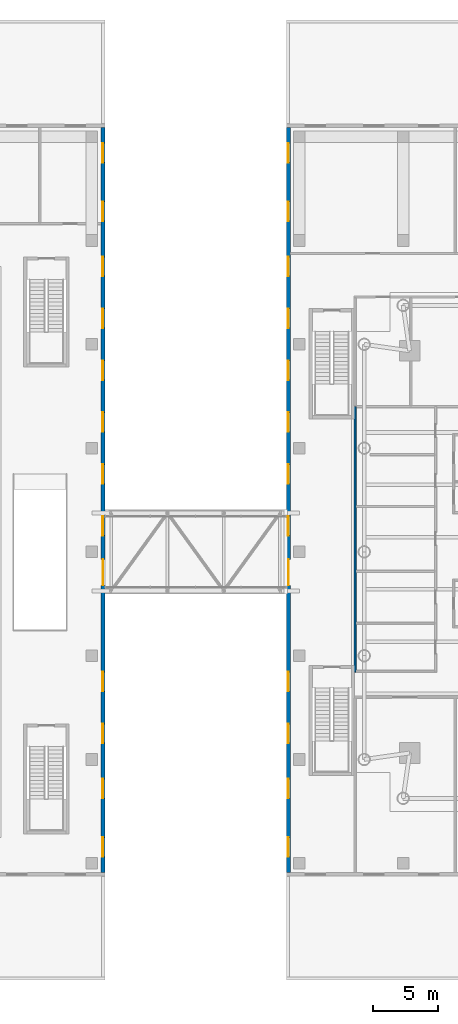
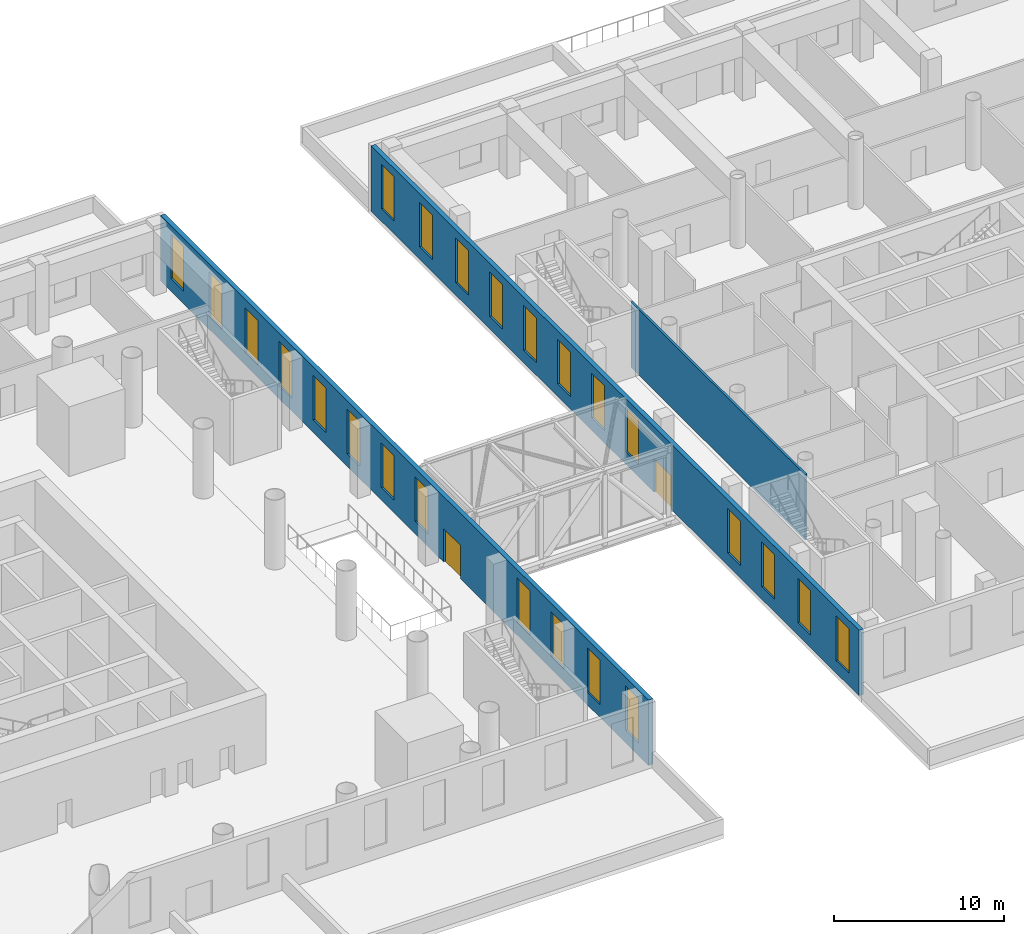
# One storey, part 15 of 23: 24 windows, 3 walls, 2 doors, 26 openings.
"""IFC4 building model written with IfcOpenShell, lengths in metres."""

from ifc_helpers import new_model, si_unit, direction, frame, frame_2d, origin, place, context, subcontext, project, spatial, rectangle, extrude, material, layer, layer_set, type_object, element, fill, save


model = new_model("IFC4")

# Units and contexts
model_context = context("Model", 3, precision=1e-05, world=origin(), true_north=direction((0.0, 1.0)))
body_context = subcontext(model_context, "Body", "Model", "MODEL_VIEW")
ifc_project = project(units=[si_unit("LENGTHUNIT", "METRE"), si_unit("AREAUNIT", "SQUARE_METRE"), si_unit("VOLUMEUNIT", "CUBIC_METRE"), si_unit("PLANEANGLEUNIT", "RADIAN"), si_unit("MASSUNIT", "GRAM", prefix="KILO")], contexts=[model_context])

# Site, building, storey
site_placement = place(None, origin())
site = spatial("IfcSite", under=ifc_project, at=site_placement, CompositionType="ELEMENT")
building_placement = place(site_placement, origin())
building = spatial("IfcBuilding", under=site, at=building_placement, Name="Ostroluk Exchange", CompositionType="ELEMENT")
storey_placement = place(building_placement, frame((0.0, 0.0, 11.0)))
storey = spatial("IfcBuildingStorey", under=building, at=storey_placement, Name="L02", CompositionType="ELEMENT", Elevation=11.0)

# Wall, openings, door, windows
ifc_material_1 = material(Name="Limestone", Category="masonry")
ifc_layer_1 = layer(ifc_material_1, 0.300048828125)
ifc_layer_set_1 = layer_set([ifc_layer_1], Name="Limestone facade wall 300")
wall_type_1 = type_object("IfcWallType", Name="Limestone facade wall 300", PredefinedType="SOLIDWALL", material=ifc_layer_set_1)
wall_1_placement = place(storey_placement, frame((77.85009765625, 21.300048828125, 0.0), z_axis=(0.0, 0.0, 1.0), x_axis=(0.0, 1.0, 0.0)))
wall_1 = element("IfcWall", 1, at=wall_1_placement, inside=storey, type_object=wall_type_1, Name="Podium west E wall L02 1a", PredefinedType="SOLIDWALL", context=body_context, shape_type="SweptSolid", body=[
    extrude(rectangle(XDim=57.39990234375, YDim=0.300048828125, at=frame_2d((28.699951171875, 0.0))), origin(), (0.0, 0.0, 1.0), 4.699951171875),
])
opening_1_placement = place(wall_1_placement, frame((1.199951171875, 0.0, 0.89990234375)))
opening_1 = element("IfcOpeningElement", 2, at=opening_1_placement, cuts=wall_1, Name="Opening WN-L2", PredefinedType="OPENING", context=body_context, shape_type="SweptSolid", body=[
    extrude(rectangle(XDim=1.5, YDim=3.199951171875, at=frame_2d((0.75, 1.60009765625))), frame((0.0, 0.159912109375, 0.0), z_axis=(0.0, -1.0, 0.0), x_axis=(1.0, 0.0, 0.0)), (0.0, 0.0, 1.0), 0.320068359375),
])
opening_2_placement = place(wall_1_placement, frame((5.699951171875, 0.0, 0.89990234375)))
opening_2 = element("IfcOpeningElement", 3, at=opening_2_placement, cuts=wall_1, Name="Opening WN-L2", PredefinedType="OPENING", context=body_context, shape_type="SweptSolid", body=[
    extrude(rectangle(XDim=1.5, YDim=3.199951171875, at=frame_2d((0.75, 1.60009765625))), frame((0.0, 0.159912109375, 0.0), z_axis=(0.0, -1.0, 0.0), x_axis=(1.0, 0.0, 0.0)), (0.0, 0.0, 1.0), 0.320068359375),
])
opening_3_placement = place(wall_1_placement, frame((9.949951171875, 0.0, 0.89990234375)))
opening_3 = element("IfcOpeningElement", 4, at=opening_3_placement, cuts=wall_1, Name="Opening WN-L2", PredefinedType="OPENING", context=body_context, shape_type="SweptSolid", body=[
    extrude(rectangle(XDim=1.5, YDim=3.199951171875, at=frame_2d((0.75, 1.60009765625))), frame((0.0, 0.159912109375, 0.0), z_axis=(0.0, -1.0, 0.0), x_axis=(1.0, 0.0, 0.0)), (0.0, 0.0, 1.0), 0.320068359375),
])
opening_4_placement = place(wall_1_placement, frame((13.949951171875, 0.0, 0.89990234375)))
opening_4 = element("IfcOpeningElement", 5, at=opening_4_placement, cuts=wall_1, Name="Opening WN-L2", PredefinedType="OPENING", context=body_context, shape_type="SweptSolid", body=[
    extrude(rectangle(XDim=1.5, YDim=3.199951171875, at=frame_2d((0.75, 1.60009765625))), frame((0.0, 0.159912109375, 0.0), z_axis=(0.0, -1.0, 0.0), x_axis=(1.0, 0.0, 0.0)), (0.0, 0.0, 1.0), 0.320068359375),
])
opening_5_placement = place(wall_1_placement, frame((25.949951171875, 0.0, 0.89990234375)))
opening_5 = element("IfcOpeningElement", 6, at=opening_5_placement, cuts=wall_1, Name="Opening WN-L2", PredefinedType="OPENING", context=body_context, shape_type="SweptSolid", body=[
    extrude(rectangle(XDim=1.5, YDim=3.199951171875, at=frame_2d((0.75, 1.60009765625))), frame((0.0, 0.159912109375, 0.0), z_axis=(0.0, -1.0, 0.0), x_axis=(1.0, 0.0, 0.0)), (0.0, 0.0, 1.0), 0.320068359375),
])
opening_6_placement = place(wall_1_placement, frame((29.949951171875, 0.0, 0.89990234375)))
opening_6 = element("IfcOpeningElement", 7, at=opening_6_placement, cuts=wall_1, Name="Opening WN-L2", PredefinedType="OPENING", context=body_context, shape_type="SweptSolid", body=[
    extrude(rectangle(XDim=1.5, YDim=3.199951171875, at=frame_2d((0.75, 1.60009765625))), frame((0.0, 0.159912109375, 0.0), z_axis=(0.0, -1.0, 0.0), x_axis=(1.0, 0.0, 0.0)), (0.0, 0.0, 1.0), 0.320068359375),
])
opening_7_placement = place(wall_1_placement, frame((33.949951171875, 0.0, 0.89990234375)))
opening_7 = element("IfcOpeningElement", 8, at=opening_7_placement, cuts=wall_1, Name="Opening WN-L2", PredefinedType="OPENING", context=body_context, shape_type="SweptSolid", body=[
    extrude(rectangle(XDim=1.5, YDim=3.199951171875, at=frame_2d((0.75, 1.60009765625))), frame((0.0, 0.159912109375, 0.0), z_axis=(0.0, -1.0, 0.0), x_axis=(1.0, 0.0, 0.0)), (0.0, 0.0, 1.0), 0.320068359375),
])
opening_8_placement = place(wall_1_placement, frame((37.949951171875, 0.0, 0.89990234375)))
opening_8 = element("IfcOpeningElement", 9, at=opening_8_placement, cuts=wall_1, Name="Opening WN-L2", PredefinedType="OPENING", context=body_context, shape_type="SweptSolid", body=[
    extrude(rectangle(XDim=1.5, YDim=3.199951171875, at=frame_2d((0.75, 1.60009765625))), frame((0.0, 0.159912109375, 0.0), z_axis=(0.0, -1.0, 0.0), x_axis=(1.0, 0.0, 0.0)), (0.0, 0.0, 1.0), 0.320068359375),
])
opening_9_placement = place(wall_1_placement, frame((41.949951171875, 0.0, 0.89990234375)))
opening_9 = element("IfcOpeningElement", 10, at=opening_9_placement, cuts=wall_1, Name="Opening WN-L2", PredefinedType="OPENING", context=body_context, shape_type="SweptSolid", body=[
    extrude(rectangle(XDim=1.5, YDim=3.199951171875, at=frame_2d((0.75, 1.60009765625))), frame((0.0, 0.159912109375, 0.0), z_axis=(0.0, -1.0, 0.0), x_axis=(1.0, 0.0, 0.0)), (0.0, 0.0, 1.0), 0.320068359375),
])
opening_10_placement = place(wall_1_placement, frame((45.949951171875, 0.0, 0.89990234375)))
opening_10 = element("IfcOpeningElement", 11, at=opening_10_placement, cuts=wall_1, Name="Opening WN-L2", PredefinedType="OPENING", context=body_context, shape_type="SweptSolid", body=[
    extrude(rectangle(XDim=1.5, YDim=3.199951171875, at=frame_2d((0.75, 1.60009765625))), frame((0.0, 0.159912109375, 0.0), z_axis=(0.0, -1.0, 0.0), x_axis=(1.0, 0.0, 0.0)), (0.0, 0.0, 1.0), 0.320068359375),
])
opening_11_placement = place(wall_1_placement, frame((50.199951171875, 0.0, 0.89990234375)))
opening_11 = element("IfcOpeningElement", 12, at=opening_11_placement, cuts=wall_1, Name="Opening WN-L2", PredefinedType="OPENING", context=body_context, shape_type="SweptSolid", body=[
    extrude(rectangle(XDim=1.5, YDim=3.199951171875, at=frame_2d((0.75, 1.60009765625))), frame((0.0, 0.159912109375, 0.0), z_axis=(0.0, -1.0, 0.0), x_axis=(1.0, 0.0, 0.0)), (0.0, 0.0, 1.0), 0.320068359375),
])
opening_12_placement = place(wall_1_placement, frame((54.699951171875, 0.0, 0.89990234375)))
opening_12 = element("IfcOpeningElement", 13, at=opening_12_placement, cuts=wall_1, Name="Opening WN-L2", PredefinedType="OPENING", context=body_context, shape_type="SweptSolid", body=[
    extrude(rectangle(XDim=1.5, YDim=3.199951171875, at=frame_2d((0.75, 1.60009765625))), frame((0.0, 0.159912109375, 0.0), z_axis=(0.0, -1.0, 0.0), x_axis=(1.0, 0.0, 0.0)), (0.0, 0.0, 1.0), 0.320068359375),
])
opening_13_placement = place(wall_1_placement, frame((22.114990234375, 0.0, 0.0)))
opening_13 = element("IfcOpeningElement", 14, at=opening_13_placement, cuts=wall_1, Name="Opening D-F1", PredefinedType="OPENING", context=body_context, shape_type="SweptSolid", body=[
    extrude(rectangle(XDim=2.0, YDim=2.39990234375, at=frame_2d((1.0, 1.199951171875))), frame((0.0, 0.159912109375, 0.0), z_axis=(0.0, -1.0, 0.0), x_axis=(1.0, 0.0, 0.0)), (0.0, 0.0, 1.0), 0.320068359375),
])
ifc_material_2 = material(Name="Steel fire door", Category="steel")
door_type = type_object("IfcDoorType", Name="Fire door 2000 x 2400 EI 60", OperationType="DOUBLE_DOOR_SINGLE_SWING", PredefinedType="DOOR", material=ifc_material_2)
door_1_placement = place(opening_13_placement, origin())
door_1 = element("IfcDoor", 15, at=door_1_placement, inside=storey, type_object=door_type, Name="Podium bridge fire door west", OperationType="DOUBLE_DOOR_SINGLE_SWING", OverallHeight=2.39990234375, OverallWidth=2.0, PredefinedType="DOOR", context=body_context, shape_type="SweptSolid", body=[
    extrude(rectangle(XDim=2.0, YDim=2.39990234375, at=frame_2d((1.0, 1.199951171875))), frame((0.0, 0.02490234375, 0.0), z_axis=(0.0, -1.0, 0.0), x_axis=(1.0, 0.0, 0.0)), (0.0, 0.0, 1.0), 0.050048828125),
])
fill(opening_13, door_1)
ifc_material_3 = material(Name="Laminated clear glass", Category="glass")
window_type = type_object("IfcWindowType", Name="Podium lancet window 1500 x 3200", PartitioningType="DOUBLE_PANEL_VERTICAL", PredefinedType="WINDOW", material=ifc_material_3)
window_1_placement = place(opening_1_placement, origin())
window_1 = element("IfcWindow", 16, at=window_1_placement, inside=storey, type_object=window_type, Name="Podium west lancet window E L02 1.1", OverallHeight=3.199951171875, OverallWidth=1.5, PartitioningType="SINGLE_PANEL", PredefinedType="WINDOW", context=body_context, shape_type="SweptSolid", body=[
    extrude(rectangle(XDim=1.5, YDim=3.199951171875, at=frame_2d((0.75, 1.60009765625))), frame((0.0, 0.030029296875, 0.0), z_axis=(0.0, -1.0, 0.0), x_axis=(1.0, 0.0, 0.0)), (0.0, 0.0, 1.0), 0.06005859375),
])
fill(opening_1, window_1)
window_2_placement = place(opening_2_placement, origin())
window_2 = element("IfcWindow", 17, at=window_2_placement, inside=storey, type_object=window_type, Name="Podium west lancet window E L02 1.2", OverallHeight=3.199951171875, OverallWidth=1.5, PartitioningType="SINGLE_PANEL", PredefinedType="WINDOW", context=body_context, shape_type="SweptSolid", body=[
    extrude(rectangle(XDim=1.5, YDim=3.199951171875, at=frame_2d((0.75, 1.60009765625))), frame((0.0, 0.030029296875, 0.0), z_axis=(0.0, -1.0, 0.0), x_axis=(1.0, 0.0, 0.0)), (0.0, 0.0, 1.0), 0.06005859375),
])
fill(opening_2, window_2)
window_3_placement = place(opening_3_placement, origin())
window_3 = element("IfcWindow", 18, at=window_3_placement, inside=storey, type_object=window_type, Name="Podium west lancet window E L02 2.1", OverallHeight=3.199951171875, OverallWidth=1.5, PartitioningType="SINGLE_PANEL", PredefinedType="WINDOW", context=body_context, shape_type="SweptSolid", body=[
    extrude(rectangle(XDim=1.5, YDim=3.199951171875, at=frame_2d((0.75, 1.60009765625))), frame((0.0, 0.030029296875, 0.0), z_axis=(0.0, -1.0, 0.0), x_axis=(1.0, 0.0, 0.0)), (0.0, 0.0, 1.0), 0.06005859375),
])
fill(opening_3, window_3)
window_4_placement = place(opening_4_placement, origin())
window_4 = element("IfcWindow", 19, at=window_4_placement, inside=storey, type_object=window_type, Name="Podium west lancet window E L02 2.2", OverallHeight=3.199951171875, OverallWidth=1.5, PartitioningType="SINGLE_PANEL", PredefinedType="WINDOW", context=body_context, shape_type="SweptSolid", body=[
    extrude(rectangle(XDim=1.5, YDim=3.199951171875, at=frame_2d((0.75, 1.60009765625))), frame((0.0, 0.030029296875, 0.0), z_axis=(0.0, -1.0, 0.0), x_axis=(1.0, 0.0, 0.0)), (0.0, 0.0, 1.0), 0.06005859375),
])
fill(opening_4, window_4)
window_5_placement = place(opening_5_placement, origin())
window_5 = element("IfcWindow", 20, at=window_5_placement, inside=storey, type_object=window_type, Name="Podium west lancet window E L02 4.1", OverallHeight=3.199951171875, OverallWidth=1.5, PartitioningType="SINGLE_PANEL", PredefinedType="WINDOW", context=body_context, shape_type="SweptSolid", body=[
    extrude(rectangle(XDim=1.5, YDim=3.199951171875, at=frame_2d((0.75, 1.60009765625))), frame((0.0, 0.030029296875, 0.0), z_axis=(0.0, -1.0, 0.0), x_axis=(1.0, 0.0, 0.0)), (0.0, 0.0, 1.0), 0.06005859375),
])
fill(opening_5, window_5)
window_6_placement = place(opening_6_placement, origin())
window_6 = element("IfcWindow", 21, at=window_6_placement, inside=storey, type_object=window_type, Name="Podium west lancet window E L02 4.2", OverallHeight=3.199951171875, OverallWidth=1.5, PartitioningType="SINGLE_PANEL", PredefinedType="WINDOW", context=body_context, shape_type="SweptSolid", body=[
    extrude(rectangle(XDim=1.5, YDim=3.199951171875, at=frame_2d((0.75, 1.60009765625))), frame((0.0, 0.030029296875, 0.0), z_axis=(0.0, -1.0, 0.0), x_axis=(1.0, 0.0, 0.0)), (0.0, 0.0, 1.0), 0.06005859375),
])
fill(opening_6, window_6)
window_7_placement = place(opening_7_placement, origin())
window_7 = element("IfcWindow", 22, at=window_7_placement, inside=storey, type_object=window_type, Name="Podium west lancet window E L02 5.1", OverallHeight=3.199951171875, OverallWidth=1.5, PartitioningType="SINGLE_PANEL", PredefinedType="WINDOW", context=body_context, shape_type="SweptSolid", body=[
    extrude(rectangle(XDim=1.5, YDim=3.199951171875, at=frame_2d((0.75, 1.60009765625))), frame((0.0, 0.030029296875, 0.0), z_axis=(0.0, -1.0, 0.0), x_axis=(1.0, 0.0, 0.0)), (0.0, 0.0, 1.0), 0.06005859375),
])
fill(opening_7, window_7)
window_8_placement = place(opening_8_placement, origin())
window_8 = element("IfcWindow", 23, at=window_8_placement, inside=storey, type_object=window_type, Name="Podium west lancet window E L02 5.2", OverallHeight=3.199951171875, OverallWidth=1.5, PartitioningType="SINGLE_PANEL", PredefinedType="WINDOW", context=body_context, shape_type="SweptSolid", body=[
    extrude(rectangle(XDim=1.5, YDim=3.199951171875, at=frame_2d((0.75, 1.60009765625))), frame((0.0, 0.030029296875, 0.0), z_axis=(0.0, -1.0, 0.0), x_axis=(1.0, 0.0, 0.0)), (0.0, 0.0, 1.0), 0.06005859375),
])
fill(opening_8, window_8)
window_9_placement = place(opening_9_placement, origin())
window_9 = element("IfcWindow", 24, at=window_9_placement, inside=storey, type_object=window_type, Name="Podium west lancet window E L02 6.1", OverallHeight=3.199951171875, OverallWidth=1.5, PartitioningType="SINGLE_PANEL", PredefinedType="WINDOW", context=body_context, shape_type="SweptSolid", body=[
    extrude(rectangle(XDim=1.5, YDim=3.199951171875, at=frame_2d((0.75, 1.60009765625))), frame((0.0, 0.030029296875, 0.0), z_axis=(0.0, -1.0, 0.0), x_axis=(1.0, 0.0, 0.0)), (0.0, 0.0, 1.0), 0.06005859375),
])
fill(opening_9, window_9)
window_10_placement = place(opening_10_placement, origin())
window_10 = element("IfcWindow", 25, at=window_10_placement, inside=storey, type_object=window_type, Name="Podium west lancet window E L02 6.2", OverallHeight=3.199951171875, OverallWidth=1.5, PartitioningType="SINGLE_PANEL", PredefinedType="WINDOW", context=body_context, shape_type="SweptSolid", body=[
    extrude(rectangle(XDim=1.5, YDim=3.199951171875, at=frame_2d((0.75, 1.60009765625))), frame((0.0, 0.030029296875, 0.0), z_axis=(0.0, -1.0, 0.0), x_axis=(1.0, 0.0, 0.0)), (0.0, 0.0, 1.0), 0.06005859375),
])
fill(opening_10, window_10)
window_11_placement = place(opening_11_placement, origin())
window_11 = element("IfcWindow", 26, at=window_11_placement, inside=storey, type_object=window_type, Name="Podium west lancet window E L02 7.1", OverallHeight=3.199951171875, OverallWidth=1.5, PartitioningType="SINGLE_PANEL", PredefinedType="WINDOW", context=body_context, shape_type="SweptSolid", body=[
    extrude(rectangle(XDim=1.5, YDim=3.199951171875, at=frame_2d((0.75, 1.60009765625))), frame((0.0, 0.030029296875, 0.0), z_axis=(0.0, -1.0, 0.0), x_axis=(1.0, 0.0, 0.0)), (0.0, 0.0, 1.0), 0.06005859375),
])
fill(opening_11, window_11)
window_12_placement = place(opening_12_placement, origin())
window_12 = element("IfcWindow", 27, at=window_12_placement, inside=storey, type_object=window_type, Name="Podium west lancet window E L02 7.2", OverallHeight=3.199951171875, OverallWidth=1.5, PartitioningType="SINGLE_PANEL", PredefinedType="WINDOW", context=body_context, shape_type="SweptSolid", body=[
    extrude(rectangle(XDim=1.5, YDim=3.199951171875, at=frame_2d((0.75, 1.60009765625))), frame((0.0, 0.030029296875, 0.0), z_axis=(0.0, -1.0, 0.0), x_axis=(1.0, 0.0, 0.0)), (0.0, 0.0, 1.0), 0.06005859375),
])
fill(opening_12, window_12)

wall_2_placement = place(storey_placement, frame((92.14990234375, 78.699951171875, 0.0), z_axis=(0.0, 0.0, 1.0), x_axis=(0.0, -1.0, 0.0)))
wall_2 = element("IfcWall", 28, at=wall_2_placement, inside=storey, type_object=wall_type_1, Name="Podium east W wall L02 1a", PredefinedType="SOLIDWALL", context=body_context, shape_type="SweptSolid", body=[
    extrude(rectangle(XDim=57.39990234375, YDim=0.300048828125, at=frame_2d((28.699951171875, 0.0))), origin(), (0.0, 0.0, 1.0), 4.699951171875),
])
opening_14_placement = place(wall_2_placement, frame((1.199951171875, 0.0, 0.89990234375)))
opening_14 = element("IfcOpeningElement", 29, at=opening_14_placement, cuts=wall_2, Name="Opening WN-L2", PredefinedType="OPENING", context=body_context, shape_type="SweptSolid", body=[
    extrude(rectangle(XDim=1.5, YDim=3.199951171875, at=frame_2d((0.75, 1.60009765625))), frame((0.0, 0.159912109375, 0.0), z_axis=(0.0, -1.0, 0.0), x_axis=(1.0, 0.0, 0.0)), (0.0, 0.0, 1.0), 0.320068359375),
])
opening_15_placement = place(wall_2_placement, frame((5.699951171875, 0.0, 0.89990234375)))
opening_15 = element("IfcOpeningElement", 30, at=opening_15_placement, cuts=wall_2, Name="Opening WN-L2", PredefinedType="OPENING", context=body_context, shape_type="SweptSolid", body=[
    extrude(rectangle(XDim=1.5, YDim=3.199951171875, at=frame_2d((0.75, 1.60009765625))), frame((0.0, 0.159912109375, 0.0), z_axis=(0.0, -1.0, 0.0), x_axis=(1.0, 0.0, 0.0)), (0.0, 0.0, 1.0), 0.320068359375),
])
opening_16_placement = place(wall_2_placement, frame((9.949951171875, 0.0, 0.89990234375)))
opening_16 = element("IfcOpeningElement", 31, at=opening_16_placement, cuts=wall_2, Name="Opening WN-L2", PredefinedType="OPENING", context=body_context, shape_type="SweptSolid", body=[
    extrude(rectangle(XDim=1.5, YDim=3.199951171875, at=frame_2d((0.75, 1.60009765625))), frame((0.0, 0.159912109375, 0.0), z_axis=(0.0, -1.0, 0.0), x_axis=(1.0, 0.0, 0.0)), (0.0, 0.0, 1.0), 0.320068359375),
])
opening_17_placement = place(wall_2_placement, frame((13.949951171875, 0.0, 0.89990234375)))
opening_17 = element("IfcOpeningElement", 32, at=opening_17_placement, cuts=wall_2, Name="Opening WN-L2", PredefinedType="OPENING", context=body_context, shape_type="SweptSolid", body=[
    extrude(rectangle(XDim=1.5, YDim=3.199951171875, at=frame_2d((0.75, 1.60009765625))), frame((0.0, 0.159912109375, 0.0), z_axis=(0.0, -1.0, 0.0), x_axis=(1.0, 0.0, 0.0)), (0.0, 0.0, 1.0), 0.320068359375),
])
opening_18_placement = place(wall_2_placement, frame((17.949951171875, 0.0, 0.89990234375)))
opening_18 = element("IfcOpeningElement", 33, at=opening_18_placement, cuts=wall_2, Name="Opening WN-L2", PredefinedType="OPENING", context=body_context, shape_type="SweptSolid", body=[
    extrude(rectangle(XDim=1.5, YDim=3.199951171875, at=frame_2d((0.75, 1.60009765625))), frame((0.0, 0.159912109375, 0.0), z_axis=(0.0, -1.0, 0.0), x_axis=(1.0, 0.0, 0.0)), (0.0, 0.0, 1.0), 0.320068359375),
])
opening_19_placement = place(wall_2_placement, frame((21.949951171875, 0.0, 0.89990234375)))
opening_19 = element("IfcOpeningElement", 34, at=opening_19_placement, cuts=wall_2, Name="Opening WN-L2", PredefinedType="OPENING", context=body_context, shape_type="SweptSolid", body=[
    extrude(rectangle(XDim=1.5, YDim=3.199951171875, at=frame_2d((0.75, 1.60009765625))), frame((0.0, 0.159912109375, 0.0), z_axis=(0.0, -1.0, 0.0), x_axis=(1.0, 0.0, 0.0)), (0.0, 0.0, 1.0), 0.320068359375),
])
opening_20_placement = place(wall_2_placement, frame((25.949951171875, 0.0, 0.89990234375)))
opening_20 = element("IfcOpeningElement", 35, at=opening_20_placement, cuts=wall_2, Name="Opening WN-L2", PredefinedType="OPENING", context=body_context, shape_type="SweptSolid", body=[
    extrude(rectangle(XDim=1.5, YDim=3.199951171875, at=frame_2d((0.75, 1.60009765625))), frame((0.0, 0.159912109375, 0.0), z_axis=(0.0, -1.0, 0.0), x_axis=(1.0, 0.0, 0.0)), (0.0, 0.0, 1.0), 0.320068359375),
])
opening_21_placement = place(wall_2_placement, frame((29.949951171875, 0.0, 0.89990234375)))
opening_21 = element("IfcOpeningElement", 36, at=opening_21_placement, cuts=wall_2, Name="Opening WN-L2", PredefinedType="OPENING", context=body_context, shape_type="SweptSolid", body=[
    extrude(rectangle(XDim=1.5, YDim=3.199951171875, at=frame_2d((0.75, 1.60009765625))), frame((0.0, 0.159912109375, 0.0), z_axis=(0.0, -1.0, 0.0), x_axis=(1.0, 0.0, 0.0)), (0.0, 0.0, 1.0), 0.320068359375),
])
opening_22_placement = place(wall_2_placement, frame((41.949951171875, 0.0, 0.89990234375)))
opening_22 = element("IfcOpeningElement", 37, at=opening_22_placement, cuts=wall_2, Name="Opening WN-L2", PredefinedType="OPENING", context=body_context, shape_type="SweptSolid", body=[
    extrude(rectangle(XDim=1.5, YDim=3.199951171875, at=frame_2d((0.75, 1.60009765625))), frame((0.0, 0.159912109375, 0.0), z_axis=(0.0, -1.0, 0.0), x_axis=(1.0, 0.0, 0.0)), (0.0, 0.0, 1.0), 0.320068359375),
])
opening_23_placement = place(wall_2_placement, frame((45.949951171875, 0.0, 0.89990234375)))
opening_23 = element("IfcOpeningElement", 38, at=opening_23_placement, cuts=wall_2, Name="Opening WN-L2", PredefinedType="OPENING", context=body_context, shape_type="SweptSolid", body=[
    extrude(rectangle(XDim=1.5, YDim=3.199951171875, at=frame_2d((0.75, 1.60009765625))), frame((0.0, 0.159912109375, 0.0), z_axis=(0.0, -1.0, 0.0), x_axis=(1.0, 0.0, 0.0)), (0.0, 0.0, 1.0), 0.320068359375),
])
opening_24_placement = place(wall_2_placement, frame((50.199951171875, 0.0, 0.89990234375)))
opening_24 = element("IfcOpeningElement", 39, at=opening_24_placement, cuts=wall_2, Name="Opening WN-L2", PredefinedType="OPENING", context=body_context, shape_type="SweptSolid", body=[
    extrude(rectangle(XDim=1.5, YDim=3.199951171875, at=frame_2d((0.75, 1.60009765625))), frame((0.0, 0.159912109375, 0.0), z_axis=(0.0, -1.0, 0.0), x_axis=(1.0, 0.0, 0.0)), (0.0, 0.0, 1.0), 0.320068359375),
])
opening_25_placement = place(wall_2_placement, frame((54.699951171875, 0.0, 0.89990234375)))
opening_25 = element("IfcOpeningElement", 40, at=opening_25_placement, cuts=wall_2, Name="Opening WN-L2", PredefinedType="OPENING", context=body_context, shape_type="SweptSolid", body=[
    extrude(rectangle(XDim=1.5, YDim=3.199951171875, at=frame_2d((0.75, 1.60009765625))), frame((0.0, 0.159912109375, 0.0), z_axis=(0.0, -1.0, 0.0), x_axis=(1.0, 0.0, 0.0)), (0.0, 0.0, 1.0), 0.320068359375),
])
opening_26_placement = place(wall_2_placement, frame((33.284912109375, 0.0, 0.0)))
opening_26 = element("IfcOpeningElement", 41, at=opening_26_placement, cuts=wall_2, Name="Opening D-F1", PredefinedType="OPENING", context=body_context, shape_type="SweptSolid", body=[
    extrude(rectangle(XDim=2.0, YDim=2.39990234375, at=frame_2d((1.0, 1.199951171875))), frame((0.0, 0.159912109375, 0.0), z_axis=(0.0, -1.0, 0.0), x_axis=(1.0, 0.0, 0.0)), (0.0, 0.0, 1.0), 0.320068359375),
])
door_2_placement = place(opening_26_placement, origin())
door_2 = element("IfcDoor", 42, at=door_2_placement, inside=storey, type_object=door_type, Name="Podium bridge fire door east", OperationType="DOUBLE_DOOR_SINGLE_SWING", OverallHeight=2.39990234375, OverallWidth=2.0, PredefinedType="DOOR", context=body_context, shape_type="SweptSolid", body=[
    extrude(rectangle(XDim=2.0, YDim=2.39990234375, at=frame_2d((1.0, 1.199951171875))), frame((0.0, 0.02490234375, 0.0), z_axis=(0.0, -1.0, 0.0), x_axis=(1.0, 0.0, 0.0)), (0.0, 0.0, 1.0), 0.050048828125),
])
fill(opening_26, door_2)
window_13_placement = place(opening_14_placement, origin())
window_13 = element("IfcWindow", 43, at=window_13_placement, inside=storey, type_object=window_type, Name="Podium east lancet window W L02 1.1", OverallHeight=3.199951171875, OverallWidth=1.5, PartitioningType="SINGLE_PANEL", PredefinedType="WINDOW", context=body_context, shape_type="SweptSolid", body=[
    extrude(rectangle(XDim=1.5, YDim=3.199951171875, at=frame_2d((0.75, 1.60009765625))), frame((0.0, 0.030029296875, 0.0), z_axis=(0.0, -1.0, 0.0), x_axis=(1.0, 0.0, 0.0)), (0.0, 0.0, 1.0), 0.06005859375),
])
fill(opening_14, window_13)
window_14_placement = place(opening_15_placement, origin())
window_14 = element("IfcWindow", 44, at=window_14_placement, inside=storey, type_object=window_type, Name="Podium east lancet window W L02 1.2", OverallHeight=3.199951171875, OverallWidth=1.5, PartitioningType="SINGLE_PANEL", PredefinedType="WINDOW", context=body_context, shape_type="SweptSolid", body=[
    extrude(rectangle(XDim=1.5, YDim=3.199951171875, at=frame_2d((0.75, 1.60009765625))), frame((0.0, 0.030029296875, 0.0), z_axis=(0.0, -1.0, 0.0), x_axis=(1.0, 0.0, 0.0)), (0.0, 0.0, 1.0), 0.06005859375),
])
fill(opening_15, window_14)
window_15_placement = place(opening_16_placement, origin())
window_15 = element("IfcWindow", 45, at=window_15_placement, inside=storey, type_object=window_type, Name="Podium east lancet window W L02 2.1", OverallHeight=3.199951171875, OverallWidth=1.5, PartitioningType="SINGLE_PANEL", PredefinedType="WINDOW", context=body_context, shape_type="SweptSolid", body=[
    extrude(rectangle(XDim=1.5, YDim=3.199951171875, at=frame_2d((0.75, 1.60009765625))), frame((0.0, 0.030029296875, 0.0), z_axis=(0.0, -1.0, 0.0), x_axis=(1.0, 0.0, 0.0)), (0.0, 0.0, 1.0), 0.06005859375),
])
fill(opening_16, window_15)
window_16_placement = place(opening_17_placement, origin())
window_16 = element("IfcWindow", 46, at=window_16_placement, inside=storey, type_object=window_type, Name="Podium east lancet window W L02 2.2", OverallHeight=3.199951171875, OverallWidth=1.5, PartitioningType="SINGLE_PANEL", PredefinedType="WINDOW", context=body_context, shape_type="SweptSolid", body=[
    extrude(rectangle(XDim=1.5, YDim=3.199951171875, at=frame_2d((0.75, 1.60009765625))), frame((0.0, 0.030029296875, 0.0), z_axis=(0.0, -1.0, 0.0), x_axis=(1.0, 0.0, 0.0)), (0.0, 0.0, 1.0), 0.06005859375),
])
fill(opening_17, window_16)
window_17_placement = place(opening_18_placement, origin())
window_17 = element("IfcWindow", 47, at=window_17_placement, inside=storey, type_object=window_type, Name="Podium east lancet window W L02 3.1", OverallHeight=3.199951171875, OverallWidth=1.5, PartitioningType="SINGLE_PANEL", PredefinedType="WINDOW", context=body_context, shape_type="SweptSolid", body=[
    extrude(rectangle(XDim=1.5, YDim=3.199951171875, at=frame_2d((0.75, 1.60009765625))), frame((0.0, 0.030029296875, 0.0), z_axis=(0.0, -1.0, 0.0), x_axis=(1.0, 0.0, 0.0)), (0.0, 0.0, 1.0), 0.06005859375),
])
fill(opening_18, window_17)
window_18_placement = place(opening_19_placement, origin())
window_18 = element("IfcWindow", 48, at=window_18_placement, inside=storey, type_object=window_type, Name="Podium east lancet window W L02 3.2", OverallHeight=3.199951171875, OverallWidth=1.5, PartitioningType="SINGLE_PANEL", PredefinedType="WINDOW", context=body_context, shape_type="SweptSolid", body=[
    extrude(rectangle(XDim=1.5, YDim=3.199951171875, at=frame_2d((0.75, 1.60009765625))), frame((0.0, 0.030029296875, 0.0), z_axis=(0.0, -1.0, 0.0), x_axis=(1.0, 0.0, 0.0)), (0.0, 0.0, 1.0), 0.06005859375),
])
fill(opening_19, window_18)
window_19_placement = place(opening_20_placement, origin())
window_19 = element("IfcWindow", 49, at=window_19_placement, inside=storey, type_object=window_type, Name="Podium east lancet window W L02 4.1", OverallHeight=3.199951171875, OverallWidth=1.5, PartitioningType="SINGLE_PANEL", PredefinedType="WINDOW", context=body_context, shape_type="SweptSolid", body=[
    extrude(rectangle(XDim=1.5, YDim=3.199951171875, at=frame_2d((0.75, 1.60009765625))), frame((0.0, 0.030029296875, 0.0), z_axis=(0.0, -1.0, 0.0), x_axis=(1.0, 0.0, 0.0)), (0.0, 0.0, 1.0), 0.06005859375),
])
fill(opening_20, window_19)
window_20_placement = place(opening_21_placement, origin())
window_20 = element("IfcWindow", 50, at=window_20_placement, inside=storey, type_object=window_type, Name="Podium east lancet window W L02 4.2", OverallHeight=3.199951171875, OverallWidth=1.5, PartitioningType="SINGLE_PANEL", PredefinedType="WINDOW", context=body_context, shape_type="SweptSolid", body=[
    extrude(rectangle(XDim=1.5, YDim=3.199951171875, at=frame_2d((0.75, 1.60009765625))), frame((0.0, 0.030029296875, 0.0), z_axis=(0.0, -1.0, 0.0), x_axis=(1.0, 0.0, 0.0)), (0.0, 0.0, 1.0), 0.06005859375),
])
fill(opening_21, window_20)
window_21_placement = place(opening_22_placement, origin())
window_21 = element("IfcWindow", 51, at=window_21_placement, inside=storey, type_object=window_type, Name="Podium east lancet window W L02 6.1", OverallHeight=3.199951171875, OverallWidth=1.5, PartitioningType="SINGLE_PANEL", PredefinedType="WINDOW", context=body_context, shape_type="SweptSolid", body=[
    extrude(rectangle(XDim=1.5, YDim=3.199951171875, at=frame_2d((0.75, 1.60009765625))), frame((0.0, 0.030029296875, 0.0), z_axis=(0.0, -1.0, 0.0), x_axis=(1.0, 0.0, 0.0)), (0.0, 0.0, 1.0), 0.06005859375),
])
fill(opening_22, window_21)
window_22_placement = place(opening_23_placement, origin())
window_22 = element("IfcWindow", 52, at=window_22_placement, inside=storey, type_object=window_type, Name="Podium east lancet window W L02 6.2", OverallHeight=3.199951171875, OverallWidth=1.5, PartitioningType="SINGLE_PANEL", PredefinedType="WINDOW", context=body_context, shape_type="SweptSolid", body=[
    extrude(rectangle(XDim=1.5, YDim=3.199951171875, at=frame_2d((0.75, 1.60009765625))), frame((0.0, 0.030029296875, 0.0), z_axis=(0.0, -1.0, 0.0), x_axis=(1.0, 0.0, 0.0)), (0.0, 0.0, 1.0), 0.06005859375),
])
fill(opening_23, window_22)
window_23_placement = place(opening_24_placement, origin())
window_23 = element("IfcWindow", 53, at=window_23_placement, inside=storey, type_object=window_type, Name="Podium east lancet window W L02 7.1", OverallHeight=3.199951171875, OverallWidth=1.5, PartitioningType="SINGLE_PANEL", PredefinedType="WINDOW", context=body_context, shape_type="SweptSolid", body=[
    extrude(rectangle(XDim=1.5, YDim=3.199951171875, at=frame_2d((0.75, 1.60009765625))), frame((0.0, 0.030029296875, 0.0), z_axis=(0.0, -1.0, 0.0), x_axis=(1.0, 0.0, 0.0)), (0.0, 0.0, 1.0), 0.06005859375),
])
fill(opening_24, window_23)
window_24_placement = place(opening_25_placement, origin())
window_24 = element("IfcWindow", 54, at=window_24_placement, inside=storey, type_object=window_type, Name="Podium east lancet window W L02 7.2", OverallHeight=3.199951171875, OverallWidth=1.5, PartitioningType="SINGLE_PANEL", PredefinedType="WINDOW", context=body_context, shape_type="SweptSolid", body=[
    extrude(rectangle(XDim=1.5, YDim=3.199951171875, at=frame_2d((0.75, 1.60009765625))), frame((0.0, 0.030029296875, 0.0), z_axis=(0.0, -1.0, 0.0), x_axis=(1.0, 0.0, 0.0)), (0.0, 0.0, 1.0), 0.06005859375),
])
fill(opening_25, window_24)

# Wall
ifc_material_4 = material(Name="Gypsum plasterboard partition", Category="gypsum")
ifc_layer_2 = layer(ifc_material_4, 0.14990234375)
ifc_layer_set_2 = layer_set([ifc_layer_2], Name="Plasterboard partition 150")
wall_type_2 = type_object("IfcWallType", Name="Plasterboard partition 150", PredefinedType="PARTITIONING", material=ifc_layer_set_2)
wall_3_placement = place(storey_placement, frame((97.300048828125, 36.72509765625, 0.0), z_axis=(0.0, 0.0, 1.0), x_axis=(0.0, 1.0, 0.0)))
element("IfcWall", 55, at=wall_3_placement, inside=storey, type_object=wall_type_2, Name="Partition", PredefinedType="PARTITIONING", context=body_context, shape_type="SweptSolid", body=[
    extrude(rectangle(XDim=20.474853515625, YDim=0.14990234375, at=frame_2d((10.2373046875, 0.0))), origin(), (0.0, 0.0, 1.0), 4.699951171875),
])

save(model, "model.ifc")
